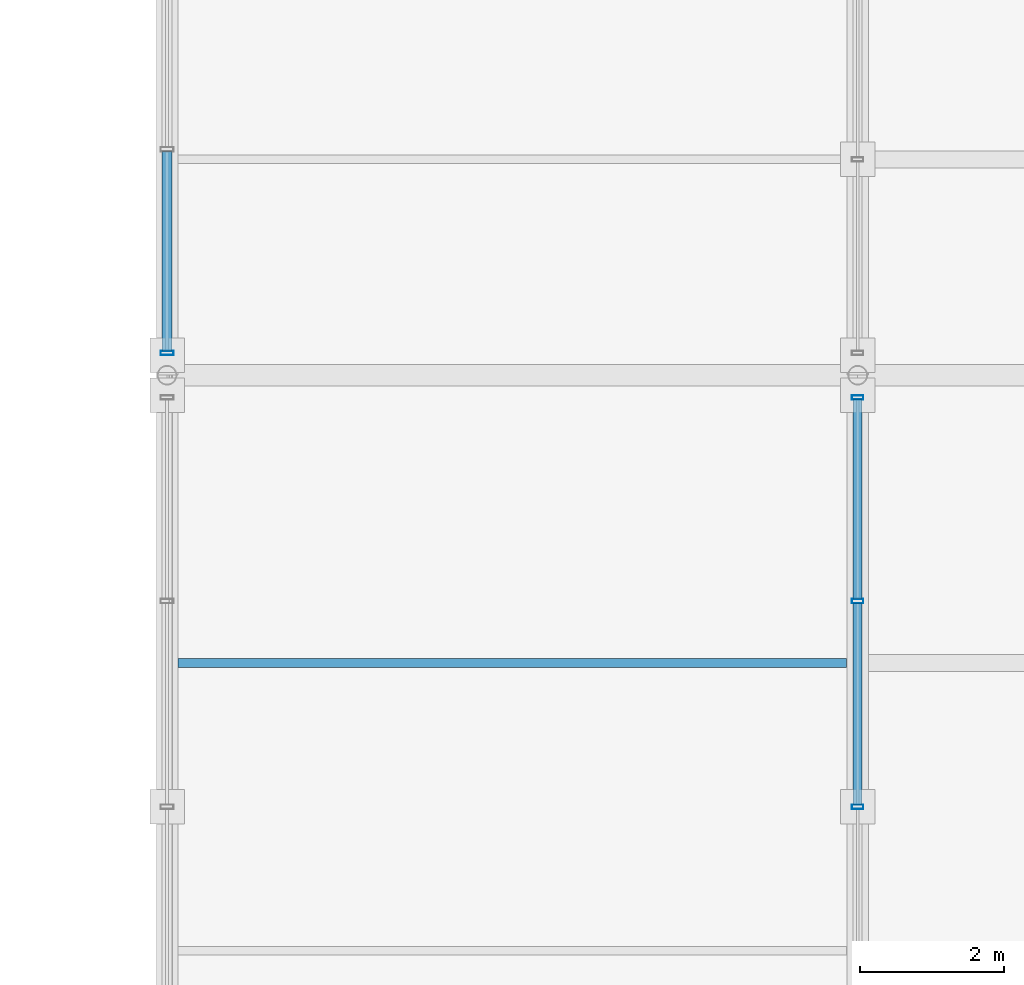
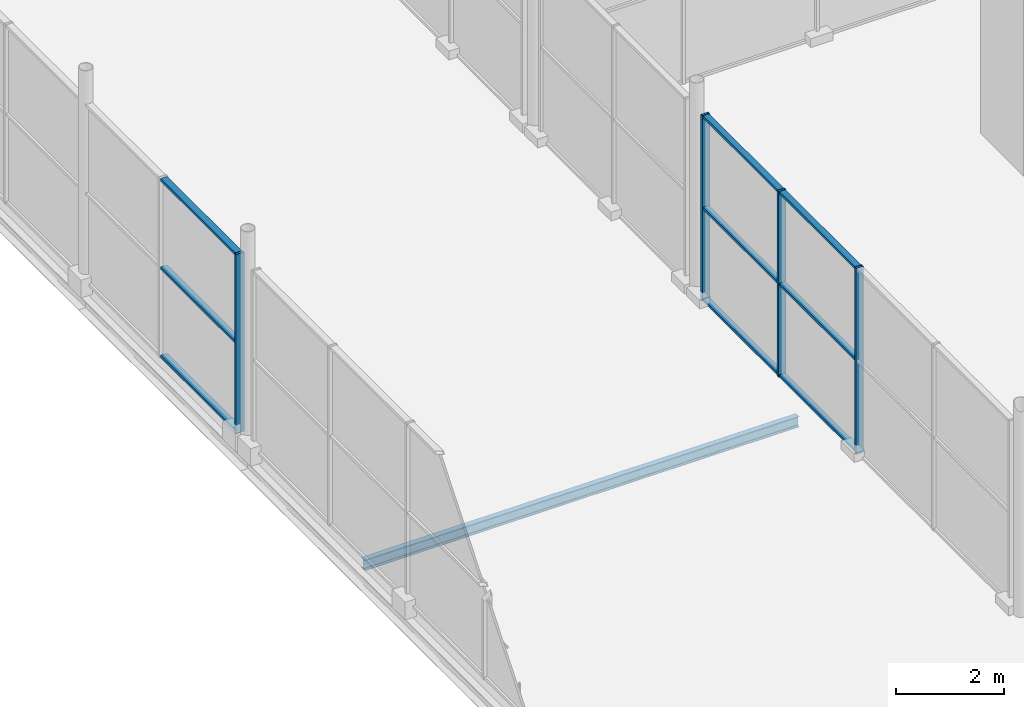
# One storey, part 55 of 159: 13 members, 1 beam, 2 elements without a shape of their own.
"""IFC4 building model written with IfcOpenShell, lengths in metres."""

from ifc_helpers import new_model, si_unit, direction, frame, origin, origin_2d, place, context, subcontext, project, spatial, hollow_rectangle, i_section, extrude, material, material_profile, profile_set, type_object, element, aggregate, save


model = new_model("IFC4")

# Units and contexts
model_context = context("Model", 3, precision=1e-05, world=origin(), true_north=direction((0.0, 1.0)))
body_context = subcontext(model_context, "Body", "Model", "MODEL_VIEW")
ifc_project = project(units=[si_unit("LENGTHUNIT", "METRE"), si_unit("AREAUNIT", "SQUARE_METRE"), si_unit("VOLUMEUNIT", "CUBIC_METRE"), si_unit("PLANEANGLEUNIT", "RADIAN"), si_unit("MASSUNIT", "GRAM", prefix="KILO")], contexts=[model_context])

# Site, building, storey
site_placement = place(None, origin())
site = spatial("IfcSite", under=ifc_project, at=site_placement, CompositionType="ELEMENT")
building_placement = place(site_placement, origin())
building = spatial("IfcBuilding", under=site, at=building_placement, Name="Merenkruunu Market Hall", CompositionType="ELEMENT")
storey_placement = place(building_placement, frame((0.0, 0.0, 5.39990234375)))
storey = spatial("IfcBuildingStorey", under=building, at=storey_placement, Name="L01", CompositionType="ELEMENT", Elevation=5.39990234375)

# Curtain wall, members
ifc_material_1 = material(Name="Powder-coated aluminium", Category="aluminium")
curtain_wall_type_1 = type_object("IfcCurtainWallType", Name="Glazed Curtain Wall CW14", PredefinedType="USERDEFINED", material=ifc_material_1)
curtain_wall_1_placement = place(storey_placement, origin())
curtain_wall_1 = element("IfcCurtainWall", 1, at=curtain_wall_1_placement, inside=storey, type_object=curtain_wall_type_1, Name="CW-L01-CWM01-153", ObjectType="GLAZED_FACADE", PredefinedType="USERDEFINED")
ifc_material_profile_1 = material_profile(ifc_material_1, hollow_rectangle(XDim=0.06005859375, YDim=0.159912109375, WallThickness=0.00390625, at=origin_2d()), Name="ALU 60x160x4")
ifc_profile_set_1 = profile_set([ifc_material_profile_1], Name="Powder-coated aluminium")
member_type_1 = type_object("IfcMemberType", Name="Curtain Wall Mullion CWM01", PredefinedType="MULLION", material=ifc_profile_set_1)
member_1_placement = place(storey_placement, frame((76.800048828125, 33.60009765625, 0.0), z_axis=(0.0, 0.0, 1.0), x_axis=(0.0, 1.0, 0.0)))
member_1 = element("IfcMember", 2, at=member_1_placement, type_object=member_type_1, Name="CW14 mullion 3", PredefinedType="MULLION", context=body_context, shape_type="SweptSolid", body=[
    extrude(hollow_rectangle(XDim=0.06005859375, YDim=0.159912109375, WallThickness=0.00390625, at=origin_2d()), origin(), (0.0, 0.0, 1.0), 4.2001953125),
])
member_2_placement = place(storey_placement, frame((76.800048828125, 36.4599609375, 0.0), z_axis=(0.0, 0.0, 1.0), x_axis=(0.0, 1.0, 0.0)))
member_2 = element("IfcMember", 3, at=member_2_placement, type_object=member_type_1, Name="CW14 mullion 4", PredefinedType="MULLION", context=body_context, shape_type="SweptSolid", body=[
    extrude(hollow_rectangle(XDim=0.06005859375, YDim=0.159912109375, WallThickness=0.00390625, at=origin_2d()), origin(), (0.0, 0.0, 1.0), 4.2001953125),
])
member_3_placement = place(storey_placement, frame((76.800048828125, 39.2900390625, 0.0), z_axis=(0.0, 0.0, 1.0), x_axis=(0.0, 1.0, 0.0)))
member_3 = element("IfcMember", 4, at=member_3_placement, type_object=member_type_1, Name="CW14 mullion 5", PredefinedType="MULLION", context=body_context, shape_type="SweptSolid", body=[
    extrude(hollow_rectangle(XDim=0.06005859375, YDim=0.159912109375, WallThickness=0.00390625, at=origin_2d()), origin(), (0.0, 0.0, 1.0), 4.2001953125),
])

# Curtain wall, member
curtain_wall_type_2 = type_object("IfcCurtainWallType", Name="Glazed Curtain Wall CW16", PredefinedType="USERDEFINED", material=ifc_material_1)
curtain_wall_2_placement = place(storey_placement, origin())
curtain_wall_2 = element("IfcCurtainWall", 5, at=curtain_wall_2_placement, inside=storey, type_object=curtain_wall_type_2, Name="CW-L01-CWM02-173", ObjectType="GLAZED_FACADE", PredefinedType="USERDEFINED")
ifc_material_profile_2 = material_profile(ifc_material_1, hollow_rectangle(XDim=0.06005859375, YDim=0.179931640625, WallThickness=0.00390625, at=origin_2d()), Name="ALU 60x180x4")
ifc_profile_set_2 = profile_set([ifc_material_profile_2], Name="Powder-coated aluminium")
member_type_2 = type_object("IfcMemberType", Name="Curtain Wall Mullion CWM02", PredefinedType="MULLION", material=ifc_profile_set_2)
member_4_placement = place(storey_placement, frame((67.199951171875, 39.909912109375, 0.0), z_axis=(0.0, 0.0, 1.0), x_axis=(0.0, 1.0, 0.0)))
member_4 = element("IfcMember", 6, at=member_4_placement, type_object=member_type_2, Name="CW16 mullion 1", PredefinedType="MULLION", context=body_context, shape_type="SweptSolid", body=[
    extrude(hollow_rectangle(XDim=0.06005859375, YDim=0.179931640625, WallThickness=0.00390625, at=origin_2d()), origin(), (0.0, 0.0, 1.0), 4.050048828125),
])

# Member
ifc_material_profile_3 = material_profile(ifc_material_1, hollow_rectangle(XDim=0.06005859375, YDim=0.125, WallThickness=0.00390625, at=origin_2d()), Name="ALU 60x125x4")
ifc_profile_set_3 = profile_set([ifc_material_profile_3], Name="Powder-coated aluminium")
member_type_3 = type_object("IfcMemberType", Name="Curtain Wall Transom CWT01", PredefinedType="USERDEFINED", material=ifc_profile_set_3)
member_5_placement = place(storey_placement, frame((76.800048828125, 33.6298828125, 0.030029296875), z_axis=(0.0, 1.0, 0.0), x_axis=(0.0, 0.0, 1.0)))
member_5 = element("IfcMember", 7, at=member_5_placement, type_object=member_type_3, Name="CW14 transom 3.1", ObjectType="TRANSOM", PredefinedType="USERDEFINED", context=body_context, shape_type="SweptSolid", body=[
    extrude(hollow_rectangle(XDim=0.06005859375, YDim=0.125, WallThickness=0.00390625, at=origin_2d()), origin(), (0.0, 0.0, 1.0), 2.800048828125),
])

member_6_placement = place(storey_placement, frame((76.800048828125, 33.6298828125, 2.10009765625), z_axis=(0.0, 1.0, 0.0), x_axis=(0.0, 0.0, 1.0)))
member_6 = element("IfcMember", 8, at=member_6_placement, type_object=member_type_3, Name="CW14 transom 3.2", ObjectType="TRANSOM", PredefinedType="USERDEFINED", context=body_context, shape_type="SweptSolid", body=[
    extrude(hollow_rectangle(XDim=0.06005859375, YDim=0.125, WallThickness=0.00390625, at=origin_2d()), origin(), (0.0, 0.0, 1.0), 2.800048828125),
])

member_7_placement = place(storey_placement, frame((76.800048828125, 33.6298828125, 4.170166015625), z_axis=(0.0, 1.0, 0.0), x_axis=(0.0, 0.0, 1.0)))
member_7 = element("IfcMember", 9, at=member_7_placement, type_object=member_type_3, Name="CW14 transom 3.3", ObjectType="TRANSOM", PredefinedType="USERDEFINED", context=body_context, shape_type="SweptSolid", body=[
    extrude(hollow_rectangle(XDim=0.06005859375, YDim=0.125, WallThickness=0.00390625, at=origin_2d()), origin(), (0.0, 0.0, 1.0), 2.800048828125),
])

member_8_placement = place(storey_placement, frame((76.800048828125, 36.489990234375, 0.030029296875), z_axis=(0.0, 1.0, 0.0), x_axis=(0.0, 0.0, 1.0)))
member_8 = element("IfcMember", 10, at=member_8_placement, type_object=member_type_3, Name="CW14 transom 4.1", ObjectType="TRANSOM", PredefinedType="USERDEFINED", context=body_context, shape_type="SweptSolid", body=[
    extrude(hollow_rectangle(XDim=0.06005859375, YDim=0.125, WallThickness=0.00390625, at=origin_2d()), origin(), (0.0, 0.0, 1.0), 2.77001953125),
])

member_9_placement = place(storey_placement, frame((76.800048828125, 36.489990234375, 2.10009765625), z_axis=(0.0, 1.0, 0.0), x_axis=(0.0, 0.0, 1.0)))
member_9 = element("IfcMember", 11, at=member_9_placement, type_object=member_type_3, Name="CW14 transom 4.2", ObjectType="TRANSOM", PredefinedType="USERDEFINED", context=body_context, shape_type="SweptSolid", body=[
    extrude(hollow_rectangle(XDim=0.06005859375, YDim=0.125, WallThickness=0.00390625, at=origin_2d()), origin(), (0.0, 0.0, 1.0), 2.77001953125),
])

member_10_placement = place(storey_placement, frame((76.800048828125, 36.489990234375, 4.170166015625), z_axis=(0.0, 1.0, 0.0), x_axis=(0.0, 0.0, 1.0)))
member_10 = element("IfcMember", 12, at=member_10_placement, type_object=member_type_3, Name="CW14 transom 4.3", ObjectType="TRANSOM", PredefinedType="USERDEFINED", context=body_context, shape_type="SweptSolid", body=[
    extrude(hollow_rectangle(XDim=0.06005859375, YDim=0.125, WallThickness=0.00390625, at=origin_2d()), origin(), (0.0, 0.0, 1.0), 2.77001953125),
])

aggregate(curtain_wall_1, [member_1, member_2, member_3, member_5, member_6, member_7, member_8, member_9, member_10])

ifc_material_profile_4 = material_profile(ifc_material_1, hollow_rectangle(XDim=0.06005859375, YDim=0.139892578125, WallThickness=0.00390625, at=origin_2d()), Name="ALU 60x140x4")
ifc_profile_set_4 = profile_set([ifc_material_profile_4], Name="Powder-coated aluminium")
member_type_4 = type_object("IfcMemberType", Name="Curtain Wall Transom CWT02", PredefinedType="USERDEFINED", material=ifc_profile_set_4)
member_11_placement = place(storey_placement, frame((67.199951171875, 39.93994140625, 0.030029296875), z_axis=(0.0, 1.0, 0.0), x_axis=(0.0, 0.0, 1.0)))
member_11 = element("IfcMember", 13, at=member_11_placement, type_object=member_type_4, Name="CW16 transom 1.1", ObjectType="TRANSOM", PredefinedType="USERDEFINED", context=body_context, shape_type="SweptSolid", body=[
    extrude(hollow_rectangle(XDim=0.06005859375, YDim=0.139892578125, WallThickness=0.00390625, at=origin_2d()), origin(), (0.0, 0.0, 1.0), 2.77001953125),
])

member_12_placement = place(storey_placement, frame((67.199951171875, 39.93994140625, 2.025146484375), z_axis=(0.0, 1.0, 0.0), x_axis=(0.0, 0.0, 1.0)))
member_12 = element("IfcMember", 14, at=member_12_placement, type_object=member_type_4, Name="CW16 transom 1.2", ObjectType="TRANSOM", PredefinedType="USERDEFINED", context=body_context, shape_type="SweptSolid", body=[
    extrude(hollow_rectangle(XDim=0.06005859375, YDim=0.139892578125, WallThickness=0.00390625, at=origin_2d()), origin(), (0.0, 0.0, 1.0), 2.77001953125),
])

member_13_placement = place(storey_placement, frame((67.199951171875, 39.93994140625, 4.02001953125), z_axis=(0.0, 1.0, 0.0), x_axis=(0.0, 0.0, 1.0)))
member_13 = element("IfcMember", 15, at=member_13_placement, type_object=member_type_4, Name="CW16 transom 1.3", ObjectType="TRANSOM", PredefinedType="USERDEFINED", context=body_context, shape_type="SweptSolid", body=[
    extrude(hollow_rectangle(XDim=0.06005859375, YDim=0.139892578125, WallThickness=0.00390625, at=origin_2d()), origin(), (0.0, 0.0, 1.0), 2.77001953125),
])

aggregate(curtain_wall_2, [member_4, member_11, member_12, member_13])

# Beam
ifc_material_2 = material(Name="Steel S355J2", Category="steel")
ifc_material_profile_5 = material_profile(ifc_material_2, i_section(OverallWidth=0.1201171875, OverallDepth=0.239990234375, WebThickness=0.006103515625, FlangeThickness=0.009765625, FilletRadius=0.014892578125, at=origin_2d()), Name="IPE 240")
ifc_profile_set_5 = profile_set([ifc_material_profile_5], Name="Steel S355J2")
beam_type = type_object("IfcBeamType", Name="Secondary Floor Joist J05", PredefinedType="JOIST", material=ifc_profile_set_5)
beam_placement = place(storey_placement, frame((67.35302734375, 35.60009765625, -0.429931640625), z_axis=(1.0, 0.0, 0.0), x_axis=(0.0, 1.0, 0.0)))
element("IfcBeam", 16, at=beam_placement, inside=storey, type_object=beam_type, Name="BM-L01-J05-0679", PredefinedType="JOIST", context=body_context, shape_type="SweptSolid", body=[
    extrude(i_section(OverallWidth=0.1201171875, OverallDepth=0.239990234375, WebThickness=0.006103515625, FlangeThickness=0.009765625, FilletRadius=0.014892578125, at=origin_2d()), origin(), (0.0, 0.0, 1.0), 9.2939453125),
])

save(model, "model.ifc")
